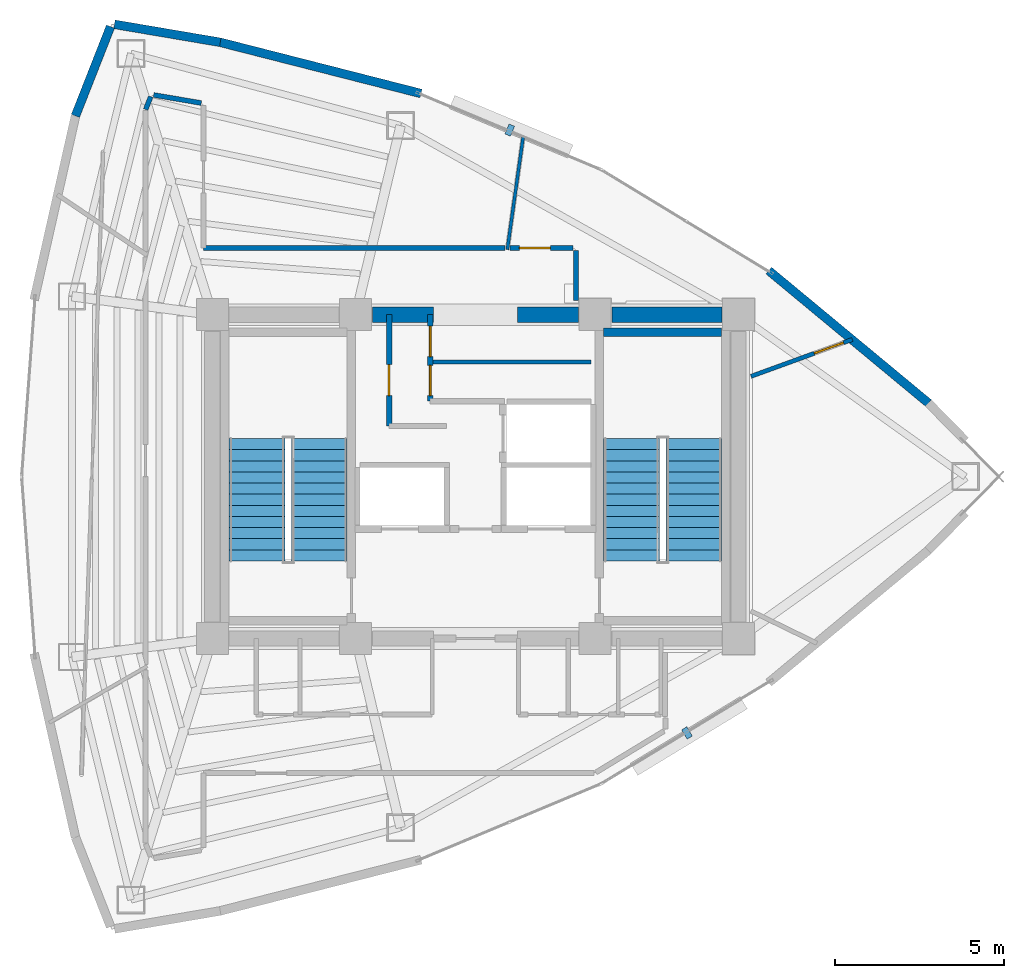
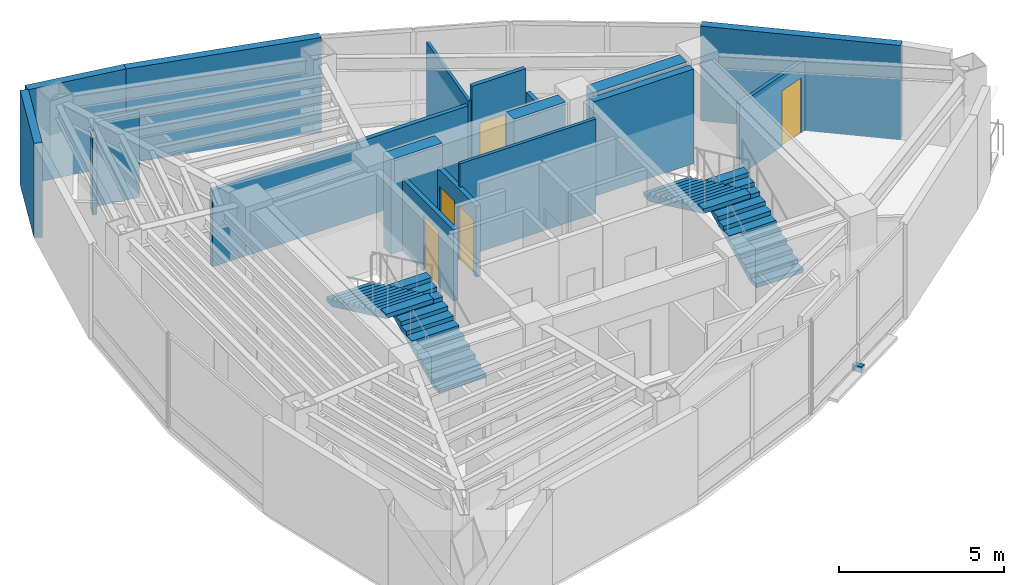
# One storey, part 13 of 16: 18 walls, 5 doors, 4 stair flights, 2 discrete accessories, 5 openings, 2 elements without a shape of their own.
"""IFC4 building model written with IfcOpenShell, lengths in metres."""

import ifcopenshell
import ifcopenshell.guid

model = None  # the IFC model being written
_history = None  # IfcOwnerHistory: only IFC2X3 demands one
_inside = {}  # id of a spatial element -> (the spatial element, [elements in it])
_under = {}  # id of a project, library or spatial element -> (it, [spatial elements below it])
_declared = {}  # id of a project -> (the project, [libraries it declares])
_typed = {}  # id of a type object -> (the type object, [elements of that type])
_made_of = {}  # id of a material, layer set ... -> (it, [elements and type objects made of it])


def new_model(schema):
    """Start an empty IFC model of exactly this schema.

    Asked for "IFC4X3", IfcOpenShell would pick the latest addendum, in which some entities
    have other attributes; the version numbers below select the first issue.
    IFC2X3 requires an IfcOwnerHistory on every rooted entity: one is made here for all.
    """
    global model, _history
    if schema == "IFC4X3":
        model = ifcopenshell.file(schema_version=(4, 3, 0, 0))
    else:
        model = ifcopenshell.file(schema=schema)
    _inside.clear()
    _under.clear()
    _declared.clear()
    _typed.clear()
    _made_of.clear()
    _history = None
    if model.schema == "IFC2X3":
        org = make("IfcOrganization", Name="unknown")
        user = make(
            "IfcPersonAndOrganization",
            ThePerson=make("IfcPerson", FamilyName="unknown"),
            TheOrganization=org,
        )
        app = make(
            "IfcApplication",
            ApplicationDeveloper=org,
            Version="unknown",
            ApplicationFullName="unknown",
            ApplicationIdentifier="unknown",
        )
        _history = make(
            "IfcOwnerHistory",
            OwningUser=user,
            OwningApplication=app,
            ChangeAction="ADDED",
            CreationDate=0,
        )
    return model


def make(cls, **values):
    """One entity of the class cls with the attributes given. An attribute that is None is left unset."""
    return model.create_entity(
        cls, **{name: value for name, value in values.items() if value is not None}
    )


def rooted(cls, **values):
    """An entity with a GlobalId (a new one), such as an element, a storey or a relation."""
    return make(cls, GlobalId=ifcopenshell.guid.new(), OwnerHistory=_history, **values)


def si_unit(unit_type, name, prefix=None):
    """IfcSIUnit, for example si_unit("LENGTHUNIT", "METRE", prefix="MILLI")."""
    return make("IfcSIUnit", UnitType=unit_type, Prefix=prefix, Name=name)


def assignment(units):
    """IfcUnitAssignment: the units of a project."""
    return None if units is None else make("IfcUnitAssignment", Units=units)


def point(xyz):
    """IfcCartesianPoint."""
    return None if xyz is None else make("IfcCartesianPoint", Coordinates=xyz)


def direction(xyz):
    """IfcDirection."""
    return None if xyz is None else make("IfcDirection", DirectionRatios=xyz)


def frame(location, z_axis=None, x_axis=None):
    """IfcAxis2Placement3D, a coordinate frame: its origin and axes. An axis left out is left unset."""
    return make(
        "IfcAxis2Placement3D",
        Location=point(location),
        Axis=direction(z_axis),
        RefDirection=direction(x_axis),
    )


def frame_2d(location, x_axis=None):
    """IfcAxis2Placement2D, a coordinate frame in the plane: its origin and x axis."""
    return make(
        "IfcAxis2Placement2D", Location=point(location), RefDirection=direction(x_axis)
    )


def origin():
    """The frame at (0, 0, 0) with its axes left unset."""
    return frame((0.0, 0.0, 0.0))


def origin_2d():
    """The frame at (0, 0) in the plane with its x axis left unset."""
    return frame_2d((0.0, 0.0))


def place(relative_to, where):
    """IfcLocalPlacement: puts the frame where relative to a parent placement (None: the world)."""
    return make(
        "IfcLocalPlacement", PlacementRelTo=relative_to, RelativePlacement=where
    )


def context(
    kind, dimensions, precision=None, world=None, true_north=None, identifier=None
):
    """IfcGeometricRepresentationContext, for example the 3D "Model" context."""
    return make(
        "IfcGeometricRepresentationContext",
        ContextIdentifier=identifier,
        ContextType=kind,
        CoordinateSpaceDimension=dimensions,
        Precision=precision,
        WorldCoordinateSystem=world,
        TrueNorth=true_north,
    )


def subcontext(parent, identifier, kind, view, scale=None):
    """IfcGeometricRepresentationSubContext, for example "Body" below "Model"."""
    return make(
        "IfcGeometricRepresentationSubContext",
        ContextIdentifier=identifier,
        ContextType=kind,
        ParentContext=parent,
        TargetScale=scale,
        TargetView=view,
    )


def project(units=None, contexts=None):
    """IfcProject with its units and contexts."""
    return rooted(
        "IfcProject",
        Name="project",
        RepresentationContexts=contexts,
        UnitsInContext=assignment(units),
    )


def spatial(cls, under=None, at=None, **own):
    """A site, building, storey or space (cls), placed at a placement, below another one or the project."""
    s = rooted(cls, ObjectPlacement=at, **own)
    if under is not None:
        _under.setdefault(under.id(), (under, []))[1].append(s)
    return s


def polyline(points):
    """IfcPolyline through the points."""
    return make("IfcPolyline", Points=[point(p) for p in points])


def profile(cls, at=None, kind="AREA", **sizes):
    """A parametric profile (cls). Its sizes go by their IFC names, for example OverallWidth=200.0."""
    return make(cls, ProfileType=kind, Position=at, **sizes)


def rectangle(**sizes):
    """IfcRectangleProfileDef."""
    return profile("IfcRectangleProfileDef", **sizes)


def outline(outer, holes=None, kind="AREA"):
    """IfcArbitraryClosedProfileDef: a profile drawn as a closed curve; with holes, ...WithVoids."""
    if holes is None:
        return make("IfcArbitraryClosedProfileDef", ProfileType=kind, OuterCurve=outer)
    return make(
        "IfcArbitraryProfileDefWithVoids",
        ProfileType=kind,
        OuterCurve=outer,
        InnerCurves=holes,
    )


def extrude(swept, where, along, depth):
    """IfcExtrudedAreaSolid: the profile swept, set in the frame where, extruded along a direction by depth."""
    return make(
        "IfcExtrudedAreaSolid",
        SweptArea=swept,
        Position=where,
        ExtrudedDirection=direction(along),
        Depth=depth,
    )


def shape(context_of_items, identifier, shape_type, items):
    """IfcShapeRepresentation: the items that make up one representation, for example the "Body"."""
    return make(
        "IfcShapeRepresentation",
        ContextOfItems=context_of_items,
        RepresentationIdentifier=identifier,
        RepresentationType=shape_type,
        Items=items,
    )


def material(Name=None, Category=None):
    """IfcMaterial."""
    return make("IfcMaterial", Name=Name, Category=Category)


def layer(
    of_material, thickness, ventilated=None, Name=None, Category=None, Priority=None
):
    """IfcMaterialLayer: one layer of a wall or slab, of a material (None: an air gap)."""
    return make(
        "IfcMaterialLayer",
        Material=of_material,
        LayerThickness=thickness,
        IsVentilated=ventilated,
        Name=Name,
        Category=Category,
        Priority=Priority,
    )


def layer_set(layers, Name=None):
    """IfcMaterialLayerSet."""
    return make("IfcMaterialLayerSet", MaterialLayers=layers, LayerSetName=Name)


def made_of(thing, what):
    """Note that an element or type object is made of a material, layer set ...; save() writes the relation."""
    if what is not None:
        _made_of.setdefault(what.id(), (what, []))[1].append(thing)
    return thing


def type_object(cls, material=None, **own):
    """A type object (cls), such as IfcWallType, which elements share."""
    return made_of(rooted(cls, **own), material)


def element(
    cls,
    number,
    at=None,
    inside=None,
    cuts=None,
    type_object=None,
    material=None,
    context=None,
    identifier="Body",
    shape_type=None,
    held_by="IfcProductDefinitionShape",
    body=None,
    shapes=None,
    **own,
):
    """One element of the class cls, such as IfcWall. Its Tag is "e" and its number.

    at: its placement. inside: the storey or other place that contains it. cuts: it is an
    opening in that element (IfcRelVoidsElement). A single representation is given by context,
    identifier, shape_type and body (its items); several are given by shapes. held_by: the class
    of the entity that holds the representations. save() writes the other relations.
    """
    e = rooted(cls, Tag="e%d" % number, ObjectPlacement=at, **own)
    if body is not None:
        shapes = [shape(context, identifier, shape_type, body)]
    if shapes is not None:
        e.Representation = make(held_by, Representations=shapes)
    if inside is not None:
        _inside.setdefault(inside.id(), (inside, []))[1].append(e)
    if cuts is not None:
        rooted(
            "IfcRelVoidsElement", RelatingBuildingElement=cuts, RelatedOpeningElement=e
        )
    if type_object is not None:
        _typed.setdefault(type_object.id(), (type_object, []))[1].append(e)
    return made_of(e, material)


def fill(opening, filler):
    """IfcRelFillsElement: the door or window that sits in an opening."""
    return rooted(
        "IfcRelFillsElement",
        RelatingOpeningElement=opening,
        RelatedBuildingElement=filler,
    )


def aggregate(whole, parts):
    """IfcRelAggregates: a whole, such as a stair, and the parts it consists of."""
    return rooted("IfcRelAggregates", RelatingObject=whole, RelatedObjects=parts)


def save(model, path):
    """Write the relations noted so far, then the file.

    IfcRelAggregates (storeys below a building ...), IfcRelContainedInSpatialStructure (elements
    in a storey), IfcRelDefinesByType, IfcRelAssociatesMaterial and IfcRelDeclares: one each for
    every whole, place, type object, material and project.
    """
    for whole, parts in _under.values():
        aggregate(whole, parts)
    for where, things in _inside.values():
        rooted(
            "IfcRelContainedInSpatialStructure",
            RelatedElements=things,
            RelatingStructure=where,
        )
    for kind, things in _typed.values():
        rooted("IfcRelDefinesByType", RelatedObjects=things, RelatingType=kind)
    for what, things in _made_of.values():
        rooted("IfcRelAssociatesMaterial", RelatedObjects=things, RelatingMaterial=what)
    for by, libraries in _declared.values():
        rooted("IfcRelDeclares", RelatingContext=by, RelatedDefinitions=libraries)
    model.write(path)


model = new_model("IFC4")

# Units and contexts
model_context = context("Model", 3, precision=1e-05, world=origin(), true_north=direction((0.0, 1.0)))
body_context = subcontext(model_context, "Body", "Model", "MODEL_VIEW")
ifc_project = project(units=[si_unit("LENGTHUNIT", "METRE"), si_unit("AREAUNIT", "SQUARE_METRE"), si_unit("VOLUMEUNIT", "CUBIC_METRE"), si_unit("PLANEANGLEUNIT", "RADIAN"), si_unit("MASSUNIT", "GRAM", prefix="KILO")], contexts=[model_context])

# Site, building, storey
site_placement = place(None, origin())
site = spatial("IfcSite", under=ifc_project, at=site_placement, CompositionType="ELEMENT")
building_placement = place(site_placement, origin())
building = spatial("IfcBuilding", under=site, at=building_placement, Name="Menara Vayukalpa", CompositionType="ELEMENT")
storey_placement = place(building_placement, frame((0.0, 0.0, 280.6201171875)))
storey = spatial("IfcBuildingStorey", under=building, at=storey_placement, Name="L71", CompositionType="ELEMENT", Elevation=280.6201171875)

# Walls
ifc_material_1 = material(Name="Concrete C50/60", Category="concrete")
ifc_layer_1 = layer(ifc_material_1, 0.449951171875)
ifc_layer_set_1 = layer_set([ifc_layer_1], Name="Concrete C50/60")
wall_type_1 = type_object("IfcWallType", Name="WAL-CW450", PredefinedType="SHEAR", material=ifc_layer_set_1)
wall_1_placement = place(storey_placement, frame((22.544921875, 26.800048828125, 0.0), z_axis=(0.0, 0.0, 1.0), x_axis=(1.0, 0.0, 0.0)))
element("IfcWall", 1, at=wall_1_placement, inside=storey, type_object=wall_type_1, Name="L71 Buttressed Core Shear Wall CWN2", PredefinedType="SHEAR", context=body_context, shape_type="SweptSolid", body=[
    extrude(rectangle(XDim=1.80517578125, YDim=0.449951171875, at=frame_2d((0.902587890625, 0.0))), origin(), (0.0, 0.0, 1.0), 3.5),
])
wall_2_placement = place(storey_placement, frame((26.85009765625, 26.800048828125, 0.0), z_axis=(0.0, 0.0, 1.0), x_axis=(1.0, 0.0, 0.0)))
element("IfcWall", 2, at=wall_2_placement, inside=storey, type_object=wall_type_1, Name="L71 Buttressed Core Shear Wall CWN3", PredefinedType="SHEAR", context=body_context, shape_type="SweptSolid", body=[
    extrude(rectangle(XDim=1.804931640625, YDim=0.449951171875, at=frame_2d((0.90234375, 0.0))), origin(), (0.0, 0.0, 1.0), 3.5),
])
wall_3_placement = place(storey_placement, frame((29.64501953125, 26.800048828125, 0.0), z_axis=(0.0, 0.0, 1.0), x_axis=(1.0, 0.0, 0.0)))
element("IfcWall", 3, at=wall_3_placement, inside=storey, type_object=wall_type_1, Name="L71 Buttressed Core Shear Wall CWN4", PredefinedType="SHEAR", context=body_context, shape_type="SweptSolid", body=[
    extrude(rectangle(XDim=3.260009765625, YDim=0.449951171875, at=frame_2d((1.6298828125, 0.0))), origin(), (0.0, 0.0, 1.0), 3.5),
])
ifc_material_2 = material(Name="Insulated Precast Concrete C40/50", Category="concrete")
ifc_layer_2 = layer(ifc_material_2, 0.260009765625)
ifc_layer_set_2 = layer_set([ifc_layer_2], Name="Insulated Precast Concrete C40/50")
wall_type_2 = type_object("IfcWallType", Name="WAL-EXT260", PredefinedType="PARTITIONING", material=ifc_layer_set_2)
wall_4_placement = place(storey_placement, frame((34.295166015625, 28.1083984375, 0.0), z_axis=(0.0, 0.0, 1.0), x_axis=(0.769779830138, -0.638309496337, 0.0)))
element("IfcWall", 4, at=wall_4_placement, inside=storey, type_object=wall_type_2, Name="L71 Perimeter Terracotta Pier Wall 03", PredefinedType="PARTITIONING", context=body_context, shape_type="SweptSolid", body=[
    extrude(rectangle(XDim=6.154052734375, YDim=0.260009765625, at=frame_2d((3.0771484375, 0.0))), origin(), (0.0, 0.0, 1.0), 3.5),
])
wall_5_placement = place(storey_placement, frame((18.0244140625, 34.878662109375, 0.0), z_axis=(0.0, 0.0, 1.0), x_axis=(0.968988278672, -0.247106689096, 0.0)))
element("IfcWall", 5, at=wall_5_placement, inside=storey, type_object=wall_type_2, Name="L71 Perimeter Terracotta Pier Wall 06", PredefinedType="PARTITIONING", context=body_context, shape_type="SweptSolid", body=[
    extrude(rectangle(XDim=6.154296875, YDim=0.260009765625, at=frame_2d((3.0771484375, 0.0))), origin(), (0.0, 0.0, 1.0), 3.5),
])
wall_6_placement = place(storey_placement, frame((14.900146484375, 35.40869140625, 0.0), z_axis=(0.0, 0.0, 1.0), x_axis=(0.985889432766, -0.167397808709, 0.0)))
element("IfcWall", 6, at=wall_6_placement, inside=storey, type_object=wall_type_2, Name="L71 Perimeter Terracotta Pier Wall 07", PredefinedType="PARTITIONING", context=body_context, shape_type="SweptSolid", body=[
    extrude(rectangle(XDim=3.180908203125, YDim=0.260009765625, at=frame_2d((1.59033203125, 0.0))), origin(), (0.0, 0.0, 1.0), 3.5),
])
wall_7_placement = place(storey_placement, frame((13.741943359375, 32.693359375, 0.0), z_axis=(0.0, 0.0, 1.0), x_axis=(0.36559927932, 0.930772349697, 0.0)))
element("IfcWall", 7, at=wall_7_placement, inside=storey, type_object=wall_type_2, Name="L71 Perimeter Terracotta Pier Wall 08", PredefinedType="PARTITIONING", context=body_context, shape_type="SweptSolid", body=[
    extrude(rectangle(XDim=2.845458984375, YDim=0.260009765625, at=frame_2d((1.4228515625, 0.0))), origin(), (0.0, 0.0, 1.0), 3.5),
])

# Wall, opening, door
ifc_material_3 = material(Name="Lightweight Concrete Blockwork C16/20", Category="masonry")
ifc_layer_3 = layer(ifc_material_3, 0.159912109375)
ifc_layer_set_3 = layer_set([ifc_layer_3], Name="Lightweight Concrete Blockwork C16/20")
wall_type_3 = type_object("IfcWallType", Name="WAL-FR150", PredefinedType="PARTITIONING", material=ifc_layer_set_3)
wall_8_placement = place(storey_placement, frame((23.0400390625, 23.5, 0.0), z_axis=(0.0, 0.0, 1.0), x_axis=(0.0, 1.0, 0.0)))
wall_8 = element("IfcWall", 8, at=wall_8_placement, inside=storey, type_object=wall_type_3, Name="L71 Interior Partition IW-L71-LV7WB", PredefinedType="PARTITIONING", context=body_context, shape_type="SweptSolid", body=[
    extrude(rectangle(XDim=3.300048828125, YDim=0.159912109375, at=frame_2d((1.64990234375, 0.0))), origin(), (0.0, 0.0, 1.0), 2.6298828125),
])
opening_1_placement = place(wall_8_placement, frame((0.89990234375, 0.0, 0.0)))
opening_1 = element("IfcOpeningElement", 9, at=opening_1_placement, cuts=wall_8, Name="Opening ID6", PredefinedType="OPENING", context=body_context, shape_type="SweptSolid", body=[
    extrude(rectangle(XDim=0.919921875, YDim=2.050048828125, at=frame_2d((0.4599609375, 1.02490234375))), frame((0.0, 0.08984375, 0.0), z_axis=(0.0, -1.0, 0.0), x_axis=(1.0, 0.0, 0.0)), (0.0, 0.0, 1.0), 0.179931640625),
])
ifc_material_4 = material(Name="Acoustic Hardwood Veneer Timber Door", Category="wood")
door_type_1 = type_object("IfcDoorType", Name="DR-INT92", OperationType="NOTDEFINED", PredefinedType="DOOR", material=ifc_material_4)
door_1_placement = place(opening_1_placement, origin())
door_1 = element("IfcDoor", 10, at=door_1_placement, inside=storey, type_object=door_type_1, Name="L71 Interior Door DR-L71-LV7W", OperationType="SINGLE_SWING_RIGHT", OverallHeight=2.050048828125, OverallWidth=0.919921875, PredefinedType="DOOR", context=body_context, shape_type="SweptSolid", body=[
    extrude(rectangle(XDim=0.919921875, YDim=2.050048828125, at=frame_2d((0.4599609375, 1.02490234375))), frame((0.0, 0.02490234375, 0.0), z_axis=(0.0, -1.0, 0.0), x_axis=(1.0, 0.0, 0.0)), (0.0, 0.0, 1.0), 0.050048828125),
])
fill(opening_1, door_1)

# Wall, openings, doors
wall_9_placement = place(storey_placement, frame((24.260009765625, 24.239990234375, 0.0), z_axis=(0.0, 0.0, 1.0), x_axis=(0.0, 1.0, 0.0)))
wall_9 = element("IfcWall", 11, at=wall_9_placement, inside=storey, type_object=wall_type_3, Name="L71 Interior Partition IW-L71-LV7EB", PredefinedType="PARTITIONING", context=body_context, shape_type="SweptSolid", body=[
    extrude(rectangle(XDim=2.56005859375, YDim=0.159912109375, at=frame_2d((1.280029296875, 0.0))), origin(), (0.0, 0.0, 1.0), 2.6298828125),
])
opening_2_placement = place(wall_9_placement, frame((0.159912109375, 0.0, 0.0)))
opening_2 = element("IfcOpeningElement", 12, at=opening_2_placement, cuts=wall_9, Name="Opening ID7", PredefinedType="OPENING", context=body_context, shape_type="SweptSolid", body=[
    extrude(rectangle(XDim=0.89990234375, YDim=2.02001953125, at=frame_2d((0.449951171875, 1.010009765625))), frame((0.0, 0.08984375, 0.0), z_axis=(0.0, -1.0, 0.0), x_axis=(1.0, 0.0, 0.0)), (0.0, 0.0, 1.0), 0.179931640625),
])
opening_3_placement = place(wall_9_placement, frame((1.320068359375, 0.0, 0.0)))
opening_3 = element("IfcOpeningElement", 13, at=opening_3_placement, cuts=wall_9, Name="Opening ID7", PredefinedType="OPENING", context=body_context, shape_type="SweptSolid", body=[
    extrude(rectangle(XDim=0.89990234375, YDim=2.02001953125, at=frame_2d((0.449951171875, 1.010009765625))), frame((0.0, 0.08984375, 0.0), z_axis=(0.0, -1.0, 0.0), x_axis=(1.0, 0.0, 0.0)), (0.0, 0.0, 1.0), 0.179931640625),
])
ifc_material_5 = material(Name="Powder-Coated Steel Riser Access Door", Category="steel")
door_type_2 = type_object("IfcDoorType", Name="DR-RISER", OperationType="NOTDEFINED", PredefinedType="DOOR", material=ifc_material_5)
door_2_placement = place(opening_2_placement, origin())
door_2 = element("IfcDoor", 14, at=door_2_placement, inside=storey, type_object=door_type_2, Name="L71 Interior Door DR-L71-LV7E1", OperationType="SINGLE_SWING_LEFT", OverallHeight=2.02001953125, OverallWidth=0.89990234375, PredefinedType="DOOR", context=body_context, shape_type="SweptSolid", body=[
    extrude(rectangle(XDim=0.89990234375, YDim=2.02001953125, at=frame_2d((0.449951171875, 1.010009765625))), frame((0.0, 0.02490234375, 0.0), z_axis=(0.0, -1.0, 0.0), x_axis=(1.0, 0.0, 0.0)), (0.0, 0.0, 1.0), 0.050048828125),
])
fill(opening_2, door_2)
door_3_placement = place(opening_3_placement, origin())
door_3 = element("IfcDoor", 15, at=door_3_placement, inside=storey, type_object=door_type_2, Name="L71 Interior Door DR-L71-LV7E2", OperationType="SINGLE_SWING_RIGHT", OverallHeight=2.02001953125, OverallWidth=0.89990234375, PredefinedType="DOOR", context=body_context, shape_type="SweptSolid", body=[
    extrude(rectangle(XDim=0.89990234375, YDim=2.02001953125, at=frame_2d((0.449951171875, 1.010009765625))), frame((0.0, 0.02490234375, 0.0), z_axis=(0.0, -1.0, 0.0), x_axis=(1.0, 0.0, 0.0)), (0.0, 0.0, 1.0), 0.050048828125),
])
fill(opening_3, door_3)

# Walls
ifc_material_6 = material(Name="Glazed Demountable Office Partition", Category="glass")
ifc_layer_4 = layer(ifc_material_6, 0.094970703125)
ifc_layer_set_4 = layer_set([ifc_layer_4], Name="Glazed Demountable Office Partition")
wall_type_4 = type_object("IfcWallType", Name="WAL-PT100", PredefinedType="PARTITIONING", material=ifc_layer_set_4)
wall_10_placement = place(storey_placement, frame((26.5458984375, 28.72998046875, 0.0), z_axis=(0.0, 0.0, 1.0), x_axis=(0.139120086599, 0.990275517977, 0.0)))
element("IfcWall", 16, at=wall_10_placement, inside=storey, type_object=wall_type_4, Name="L71 Interior Partition IW-L71-RDIV02", PredefinedType="PARTITIONING", context=body_context, shape_type="SweptSolid", body=[
    extrude(rectangle(XDim=3.386962890625, YDim=0.094970703125, at=frame_2d((1.693359375, 0.0))), origin(), (0.0, 0.0, 1.0), 2.97998046875),
])
ifc_material_7 = material(Name="Acoustic Mineral Stud Partition", Category="masonry")
ifc_layer_5 = layer(ifc_material_7, 0.110107421875)
ifc_layer_set_5 = layer_set([ifc_layer_5], Name="Acoustic Mineral Stud Partition")
wall_type_5 = type_object("IfcWallType", Name="WAL-PT110", PredefinedType="PARTITIONING", material=ifc_layer_set_5)
wall_11_placement = place(storey_placement, frame((24.260009765625, 25.39990234375, 0.0), z_axis=(0.0, 0.0, 1.0), x_axis=(1.0, 0.0, 0.0)))
element("IfcWall", 17, at=wall_11_placement, inside=storey, type_object=wall_type_5, Name="L71 Interior Partition IW-L71-LV7EM", PredefinedType="PARTITIONING", context=body_context, shape_type="SweptSolid", body=[
    extrude(rectangle(XDim=4.760009765625, YDim=0.110107421875, at=frame_2d((2.3798828125, 0.0))), origin(), (0.0, 0.0, 1.0), 3.5),
])

# Wall, opening, door
ifc_material_8 = material(Name="Gypsum Drywall Steel Stud Assembly", Category="steel")
ifc_layer_6 = layer(ifc_material_8, 0.125)
ifc_layer_set_6 = layer_set([ifc_layer_6], Name="Gypsum Drywall Steel Stud Assembly")
wall_type_6 = type_object("IfcWallType", Name="WAL-PT125", PredefinedType="PARTITIONING", material=ifc_layer_set_6)
wall_12_placement = place(storey_placement, frame((33.77001953125, 24.9736328125, 0.0), z_axis=(0.0, 0.0, 1.0), x_axis=(0.939697478327, 0.342006797047, 0.0)))
wall_12 = element("IfcWall", 18, at=wall_12_placement, inside=storey, type_object=wall_type_6, Name="L71 Interior Partition IW-L71-RDIV01", PredefinedType="PARTITIONING", context=body_context, shape_type="SweptSolid", body=[
    extrude(rectangle(XDim=3.19580078125, YDim=0.125, at=frame_2d((1.597900390625, 0.0))), origin(), (0.0, 0.0, 1.0), 2.6298828125),
])
opening_4_placement = place(wall_12_placement, frame((1.995849609375, 0.0, 0.0)))
opening_4 = element("IfcOpeningElement", 19, at=opening_4_placement, cuts=wall_12, Name="Opening ID6", PredefinedType="OPENING", context=body_context, shape_type="SweptSolid", body=[
    extrude(rectangle(XDim=0.919921875, YDim=2.050048828125, at=frame_2d((0.4599609375, 1.02490234375))), frame((0.0, 0.072509765625, 0.0), z_axis=(0.0, -1.0, 0.0), x_axis=(1.0, 0.0, 0.0)), (0.0, 0.0, 1.0), 0.14501953125),
])
door_4_placement = place(opening_4_placement, origin())
door_4 = element("IfcDoor", 20, at=door_4_placement, inside=storey, type_object=door_type_1, Name="L71 Interior Door DR-L71-STE03", OperationType="SINGLE_SWING_RIGHT", OverallHeight=2.050048828125, OverallWidth=0.919921875, PredefinedType="DOOR", context=body_context, shape_type="SweptSolid", body=[
    extrude(rectangle(XDim=0.919921875, YDim=2.050048828125, at=frame_2d((0.4599609375, 1.02490234375))), frame((0.0, 0.02490234375, 0.0), z_axis=(0.0, -1.0, 0.0), x_axis=(1.0, 0.0, 0.0)), (0.0, 0.0, 1.0), 0.050048828125),
])
fill(opening_4, door_4)

# Wall
ifc_material_9 = material(Name="Gypsum Drywall Acoustic Stud Assembly", Category="masonry")
ifc_layer_7 = layer(ifc_material_9, 0.14501953125)
ifc_layer_set_7 = layer_set([ifc_layer_7], Name="Gypsum Drywall Acoustic Stud Assembly")
wall_type_7 = type_object("IfcWallType", Name="WAL-PT150", PredefinedType="PARTITIONING", material=ifc_layer_set_7)
wall_13_placement = place(storey_placement, frame((28.580078125, 27.219970703125, 0.0), z_axis=(0.0, 0.0, 1.0), x_axis=(0.0, 1.0, 0.0)))
element("IfcWall", 21, at=wall_13_placement, inside=storey, type_object=wall_type_7, Name="L71 Interior Partition IW-L71-CRM04-1", PredefinedType="PARTITIONING", context=body_context, shape_type="SweptSolid", body=[
    extrude(rectangle(XDim=1.47998046875, YDim=0.14501953125, at=frame_2d((0.739990234375, 0.0))), origin(), (0.0, 0.0, 1.0), 2.6298828125),
])

# Wall, opening, door
wall_14_placement = place(storey_placement, frame((28.5, 28.780029296875, 0.0), z_axis=(0.0, 0.0, 1.0), x_axis=(-1.0, 0.0, 0.0)))
wall_14 = element("IfcWall", 22, at=wall_14_placement, inside=storey, type_object=wall_type_7, Name="L71 Interior Partition IW-L71-CRM04-2", PredefinedType="PARTITIONING", context=body_context, shape_type="SweptSolid", body=[
    extrude(rectangle(XDim=1.87646484375, YDim=0.14501953125, at=frame_2d((0.938232421875, 0.0))), origin(), (0.0, 0.0, 1.0), 3.5),
])
opening_5_placement = place(wall_14_placement, frame((0.676513671875, 0.0, 0.0)))
opening_5 = element("IfcOpeningElement", 23, at=opening_5_placement, cuts=wall_14, Name="Opening ID6", PredefinedType="OPENING", context=body_context, shape_type="SweptSolid", body=[
    extrude(rectangle(XDim=0.919921875, YDim=2.050048828125, at=frame_2d((0.4599609375, 1.02490234375))), frame((0.0, 0.08251953125, 0.0), z_axis=(0.0, -1.0, 0.0), x_axis=(1.0, 0.0, 0.0)), (0.0, 0.0, 1.0), 0.1650390625),
])
door_5_placement = place(opening_5_placement, origin())
door_5 = element("IfcDoor", 24, at=door_5_placement, inside=storey, type_object=door_type_1, Name="L71 Interior Door DR-L71-RM04", OperationType="SINGLE_SWING_LEFT", OverallHeight=2.050048828125, OverallWidth=0.919921875, PredefinedType="DOOR", context=body_context, shape_type="SweptSolid", body=[
    extrude(rectangle(XDim=0.919921875, YDim=2.050048828125, at=frame_2d((0.4599609375, 1.02490234375))), frame((0.0, 0.02490234375, 0.0), z_axis=(0.0, -1.0, 0.0), x_axis=(1.0, 0.0, 0.0)), (0.0, 0.0, 1.0), 0.050048828125),
])
fill(opening_5, door_5)

# Walls
wall_15_placement = place(storey_placement, frame((26.482177734375, 28.780029296875, 0.0), z_axis=(0.0, 0.0, 1.0), x_axis=(-1.0, 0.0, 0.0)))
element("IfcWall", 25, at=wall_15_placement, inside=storey, type_object=wall_type_7, Name="L71 Interior Partition IW-L71-CRM05-1", PredefinedType="PARTITIONING", context=body_context, shape_type="SweptSolid", body=[
    extrude(rectangle(XDim=8.942138671875, YDim=0.14501953125, at=frame_2d((4.47119140625, 0.0))), origin(), (0.0, 0.0, 1.0), 2.829833984375),
])
wall_16_placement = place(storey_placement, frame((17.473388671875, 33.074951171875, 0.0), z_axis=(0.0, 0.0, 1.0), x_axis=(-0.985881780308, 0.167442871621, 0.0)))
element("IfcWall", 26, at=wall_16_placement, inside=storey, type_object=wall_type_7, Name="L71 Interior Partition IW-L71-CRM05-3", PredefinedType="PARTITIONING", context=body_context, shape_type="SweptSolid", body=[
    extrude(rectangle(XDim=1.430419921875, YDim=0.14501953125, at=frame_2d((0.71533203125, 0.0))), origin(), (0.0, 0.0, 1.0), 3.1298828125),
])
wall_17_placement = place(storey_placement, frame((15.975341796875, 33.2646484375, 0.0), z_axis=(0.0, 0.0, 1.0), x_axis=(-0.365633948196, -0.930758731319, 0.0)))
element("IfcWall", 27, at=wall_17_placement, inside=storey, type_object=wall_type_7, Name="L71 Interior Partition IW-L71-CRM05-4", PredefinedType="PARTITIONING", context=body_context, shape_type="SweptSolid", body=[
    extrude(rectangle(XDim=0.409912109375, YDim=0.14501953125, at=frame_2d((0.205078125, 0.0))), origin(), (0.0, 0.0, 1.0), 2.829833984375),
])
ifc_material_10 = material(Name="Concrete C50/60", Category="concrete")
ifc_layer_8 = layer(ifc_material_10, 0.25)
ifc_layer_set_8 = layer_set([ifc_layer_8], Name="Concrete C50/60")
wall_type_8 = type_object("IfcWallType", Name="WAL-SW250", PredefinedType="SHEAR", material=ifc_layer_set_8)
wall_18_placement = place(storey_placement, frame((29.39990234375, 26.27490234375, 0.0), z_axis=(0.0, 0.0, 1.0), x_axis=(1.0, 0.0, 0.0)))
element("IfcWall", 28, at=wall_18_placement, inside=storey, type_object=wall_type_8, Name="L71 ST2 Structural Stair Shaft Wall N", PredefinedType="SHEAR", context=body_context, shape_type="SweptSolid", body=[
    extrude(rectangle(XDim=3.5, YDim=0.25, at=frame_2d((1.75, 0.0))), origin(), (0.0, 0.0, 1.0), 3.5),
])

# Stair, stair flights
ifc_material_11 = material(Name="Precast Concrete C40/50", Category="concrete")
stair_type = type_object("IfcStairType", Name="STR-T04", PredefinedType="DOUBLE_RETURN_STAIR", material=ifc_material_11)
stair_1_placement = place(storey_placement, origin())
stair_1 = element("IfcStair", 29, at=stair_1_placement, inside=storey, type_object=stair_type, Name="L71 Core Exit Stair ST-1", PredefinedType="DOUBLE_RETURN_STAIR")
ifc_material_12 = material(Name="Precast Concrete C40/50", Category="concrete")
stair_flight_type = type_object("IfcStairFlightType", Name="STF-T04", PredefinedType="STRAIGHT", material=ifc_material_12)
stair_flight_1_placement = place(storey_placement, frame((20.97509765625, 19.5, 0.0), z_axis=(0.0, 0.0, 1.0), x_axis=(0.0, 1.0, 0.0)))
stair_flight_1 = element("IfcStairFlight", 30, at=stair_flight_1_placement, type_object=stair_flight_type, Name="ST-1 flight 1", NumberOfRisers=12, NumberOfTreads=11, PredefinedType="STRAIGHT", RiserHeight=0.155, TreadLength=0.33, context=body_context, shape_type="SweptSolid", body=[
    extrude(outline(polyline([(0.0, 0.0), (0.0, 0.155029296875), (0.330078125, 0.155029296875), (0.330078125, 0.31005859375), (0.659912109375, 0.31005859375), (0.659912109375, 0.465087890625), (0.989990234375, 0.465087890625), (0.989990234375, 0.6201171875), (1.320068359375, 0.6201171875), (1.320068359375, 0.77490234375), (1.64990234375, 0.77490234375), (1.64990234375, 0.929931640625), (1.97998046875, 0.929931640625), (1.97998046875, 1.0849609375), (2.31005859375, 1.0849609375), (2.31005859375, 1.239990234375), (2.639892578125, 1.239990234375), (2.639892578125, 1.39501953125), (2.969970703125, 1.39501953125), (2.969970703125, 1.550048828125), (3.300048828125, 1.550048828125), (3.300048828125, 1.705078125), (3.6298828125, 1.705078125), (3.6298828125, 1.860107421875), (3.6298828125, 1.539306640625), (0.3525390625, 0.0), (0.0, 0.0)])), frame((0.0, 0.824951171875, 0.0), z_axis=(0.0, -1.0, 0.0), x_axis=(1.0, 0.0, 0.0)), (0.0, 0.0, 1.0), 1.64990234375),
])
stair_flight_2_placement = place(storey_placement, frame((19.125, 23.1298828125, 1.85986328125), z_axis=(0.0, 0.0, 1.0), x_axis=(0.0, -1.0, 0.0)))
stair_flight_2 = element("IfcStairFlight", 31, at=stair_flight_2_placement, type_object=stair_flight_type, Name="ST-1 flight 2", NumberOfRisers=12, NumberOfTreads=11, PredefinedType="STRAIGHT", RiserHeight=0.155, TreadLength=0.33, context=body_context, shape_type="SweptSolid", body=[
    extrude(outline(polyline([(0.0, 0.0), (0.0, 0.155029296875), (0.330078125, 0.155029296875), (0.330078125, 0.31005859375), (0.659912109375, 0.31005859375), (0.659912109375, 0.465087890625), (0.989990234375, 0.465087890625), (0.989990234375, 0.6201171875), (1.320068359375, 0.6201171875), (1.320068359375, 0.77490234375), (1.64990234375, 0.77490234375), (1.64990234375, 0.929931640625), (1.97998046875, 0.929931640625), (1.97998046875, 1.0849609375), (2.31005859375, 1.0849609375), (2.31005859375, 1.239990234375), (2.639892578125, 1.239990234375), (2.639892578125, 1.39501953125), (2.969970703125, 1.39501953125), (2.969970703125, 1.550048828125), (3.300048828125, 1.550048828125), (3.300048828125, 1.705078125), (3.6298828125, 1.705078125), (3.6298828125, 1.860107421875), (3.6298828125, 1.539306640625), (0.3525390625, 0.0), (0.0, 0.0)])), frame((0.0, 0.824951171875, 0.0), z_axis=(0.0, -1.0, 0.0), x_axis=(1.0, 0.0, 0.0)), (0.0, 0.0, 1.0), 1.64990234375),
])
aggregate(stair_1, [stair_flight_1, stair_flight_2])

stair_2_placement = place(storey_placement, origin())
stair_2 = element("IfcStair", 32, at=stair_2_placement, inside=storey, type_object=stair_type, Name="L71 Core Exit Stair ST-2", PredefinedType="DOUBLE_RETURN_STAIR")
stair_flight_3_placement = place(storey_placement, frame((32.074951171875, 19.5, 0.0), z_axis=(0.0, 0.0, 1.0), x_axis=(0.0, 1.0, 0.0)))
stair_flight_3 = element("IfcStairFlight", 33, at=stair_flight_3_placement, type_object=stair_flight_type, Name="ST-2 flight 1", NumberOfRisers=12, NumberOfTreads=11, PredefinedType="STRAIGHT", RiserHeight=0.155, TreadLength=0.33, context=body_context, shape_type="SweptSolid", body=[
    extrude(outline(polyline([(0.0, 0.0), (0.0, 0.155029296875), (0.330078125, 0.155029296875), (0.330078125, 0.31005859375), (0.659912109375, 0.31005859375), (0.659912109375, 0.465087890625), (0.989990234375, 0.465087890625), (0.989990234375, 0.6201171875), (1.320068359375, 0.6201171875), (1.320068359375, 0.77490234375), (1.64990234375, 0.77490234375), (1.64990234375, 0.929931640625), (1.97998046875, 0.929931640625), (1.97998046875, 1.0849609375), (2.31005859375, 1.0849609375), (2.31005859375, 1.239990234375), (2.639892578125, 1.239990234375), (2.639892578125, 1.39501953125), (2.969970703125, 1.39501953125), (2.969970703125, 1.550048828125), (3.300048828125, 1.550048828125), (3.300048828125, 1.705078125), (3.6298828125, 1.705078125), (3.6298828125, 1.860107421875), (3.6298828125, 1.539306640625), (0.3525390625, 0.0), (0.0, 0.0)])), frame((0.0, 0.824951171875, 0.0), z_axis=(0.0, -1.0, 0.0), x_axis=(1.0, 0.0, 0.0)), (0.0, 0.0, 1.0), 1.64990234375),
])
stair_flight_4_placement = place(storey_placement, frame((30.22509765625, 23.1298828125, 1.85986328125), z_axis=(0.0, 0.0, 1.0), x_axis=(0.0, -1.0, 0.0)))
stair_flight_4 = element("IfcStairFlight", 34, at=stair_flight_4_placement, type_object=stair_flight_type, Name="ST-2 flight 2", NumberOfRisers=12, NumberOfTreads=11, PredefinedType="STRAIGHT", RiserHeight=0.155, TreadLength=0.33, context=body_context, shape_type="SweptSolid", body=[
    extrude(outline(polyline([(0.0, 0.0), (0.0, 0.155029296875), (0.330078125, 0.155029296875), (0.330078125, 0.31005859375), (0.659912109375, 0.31005859375), (0.659912109375, 0.465087890625), (0.989990234375, 0.465087890625), (0.989990234375, 0.6201171875), (1.320068359375, 0.6201171875), (1.320068359375, 0.77490234375), (1.64990234375, 0.77490234375), (1.64990234375, 0.929931640625), (1.97998046875, 0.929931640625), (1.97998046875, 1.0849609375), (2.31005859375, 1.0849609375), (2.31005859375, 1.239990234375), (2.639892578125, 1.239990234375), (2.639892578125, 1.39501953125), (2.969970703125, 1.39501953125), (2.969970703125, 1.550048828125), (3.300048828125, 1.550048828125), (3.300048828125, 1.705078125), (3.6298828125, 1.705078125), (3.6298828125, 1.860107421875), (3.6298828125, 1.539306640625), (0.3525390625, 0.0), (0.0, 0.0)])), frame((0.0, 0.824951171875, 0.0), z_axis=(0.0, -1.0, 0.0), x_axis=(1.0, 0.0, 0.0)), (0.0, 0.0, 1.0), 1.64990234375),
])
aggregate(stair_2, [stair_flight_3, stair_flight_4])

# Discrete accessories
ifc_material_13 = material(Name="Stainless Steel 316 Sunshade Bracket", Category="steel")
discrete_accessory_type = type_object("IfcDiscreteAccessoryType", Name="ACC-BRK1", PredefinedType="BRACKET", material=ifc_material_13)
for number, where, z_axis, x_axis, name in (
    (35, (26.61767578125, 32.272705078125, -0.16015625), (0.0, 0.0, 1.0), (-0.922538089456, 0.385906042324, 0.0), "L71 Terracotta Sunshade Bracket 05"),
    (36, (31.87109375, 14.402587890625, -0.16015625), (0.0, 0.0, 1.0), (0.85466730962, 0.519176068272, 0.0), "L71 Terracotta Sunshade Bracket 17"),
):
    element("IfcDiscreteAccessory", number, at=place(storey_placement, frame(where, z_axis=z_axis, x_axis=x_axis)), inside=storey, type_object=discrete_accessory_type, Name=name, PredefinedType="BRACKET", context=body_context, shape_type="SweptSolid", body=[
        extrude(rectangle(XDim=0.179931640625, YDim=0.320068359375, at=origin_2d()), origin(), (0.0, 0.0, 1.0), 0.219970703125),
    ])

save(model, "model.ifc")
